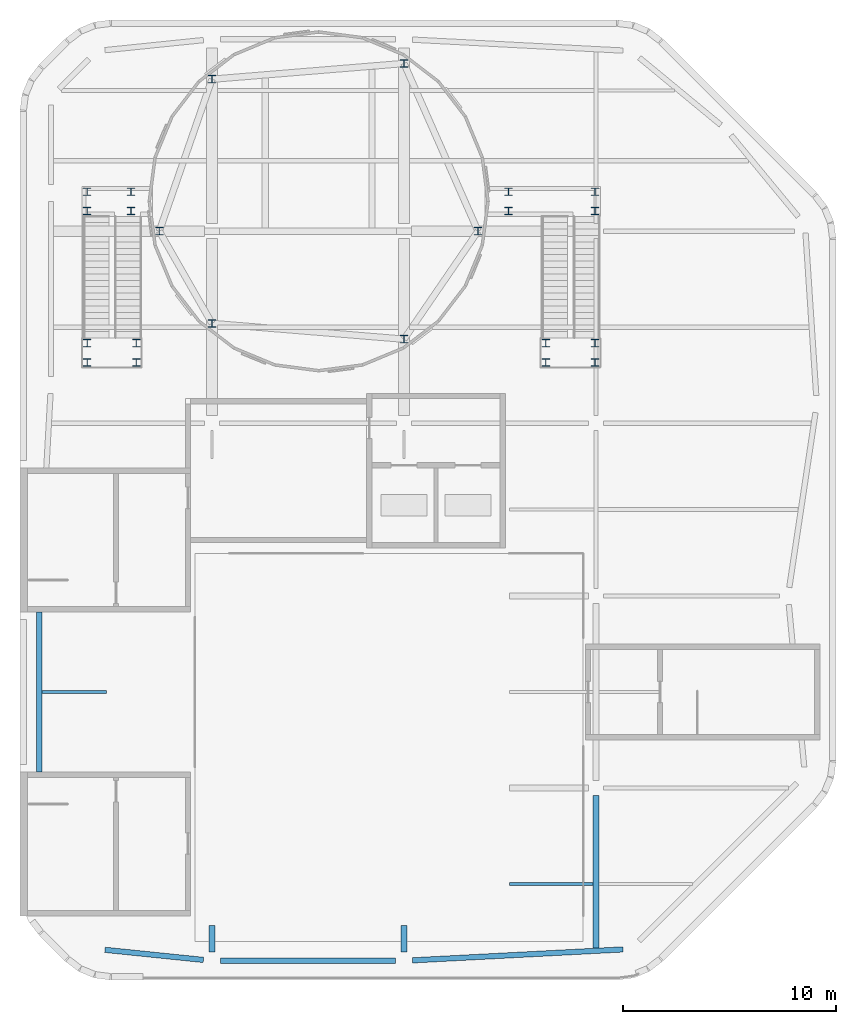
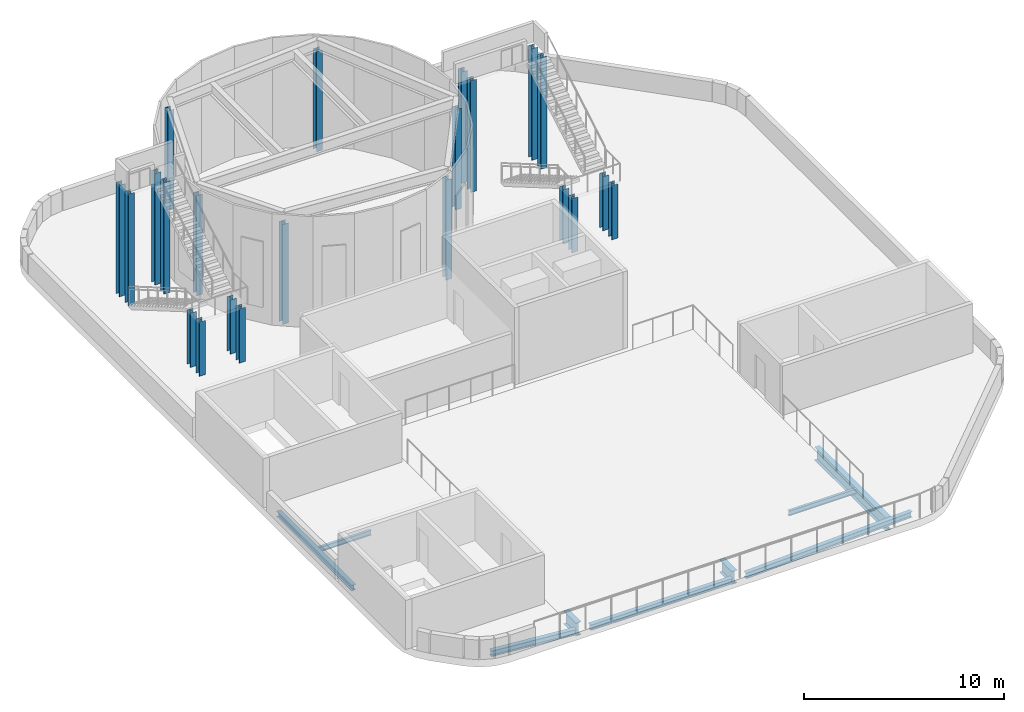
# One storey, part 1 of 6: 22 columns, 9 beams.
"""IFC4 building model written with IfcOpenShell, lengths in metres."""

from ifc_helpers import new_model, si_unit, direction, frame, origin, origin_2d, place, context, subcontext, project, spatial, i_section, extrude, material, material_profile, profile_set, type_object, element, save


model = new_model("IFC4")

# Units and contexts
model_context = context("Model", 3, precision=1e-05, world=origin(), true_north=direction((0.0, 1.0)))
body_context = subcontext(model_context, "Body", "Model", "MODEL_VIEW")
ifc_project = project(units=[si_unit("LENGTHUNIT", "METRE"), si_unit("AREAUNIT", "SQUARE_METRE"), si_unit("VOLUMEUNIT", "CUBIC_METRE"), si_unit("PLANEANGLEUNIT", "RADIAN"), si_unit("MASSUNIT", "GRAM", prefix="KILO")], contexts=[model_context])

# Site, building, storey
site_placement = place(None, origin())
site = spatial("IfcSite", under=ifc_project, at=site_placement, CompositionType="ELEMENT")
building_placement = place(site_placement, origin())
building = spatial("IfcBuilding", under=site, at=building_placement, Name="Cinnabar Reach Civic Tower", CompositionType="ELEMENT")
storey_placement = place(building_placement, frame((0.0, 0.0, 298.0)))
storey = spatial("IfcBuildingStorey", under=building, at=storey_placement, Name="Roof", CompositionType="ELEMENT", Elevation=298.0)

# Columns
ifc_material = material(Name="Steel Q355B", Category="steel")
ifc_material_profile_1 = material_profile(ifc_material, i_section(OverallWidth=0.35, OverallDepth=0.35, WebThickness=0.012, FlangeThickness=0.019, FilletRadius=0.013, at=origin_2d()), Name="HW350x350x12x19")
ifc_profile_set_1 = profile_set([ifc_material_profile_1], Name="Steel Q355B")
column_type = type_object("IfcColumnType", Name="HW350x350x12x19 column", PredefinedType="COLUMN", material=ifc_profile_set_1)
for number, where, z_axis, x_axis, name in (
    (1, (6.5301, 53.1, 0.0), (0.0, 0.0, 1.0), (1.0, 0.0, 0.0), "Plant drum column"),
    (2, (9.0, 48.7764, 0.0), (0.0, 0.0, 1.0), (1.0, 0.0, 0.0), "Plant drum column"),
    (3, (18.0, 48.0378, 0.0), (0.0, 0.0, 1.0), (1.0, 0.0, 0.0), "Plant drum column"),
    (4, (21.4699, 53.1, 0.0), (0.0, 0.0, 1.0), (1.0, 0.0, 0.0), "Plant drum column"),
    (5, (18.0, 60.9622, 0.0), (0.0, 0.0, 1.0), (1.0, 0.0, 0.0), "Plant drum column"),
    (6, (9.0, 60.2236, 0.0), (0.0, 0.0, 1.0), (1.0, 0.0, 0.0), "Plant drum column"),
):
    element("IfcColumn", number, at=place(storey_placement, frame(where, z_axis=z_axis, x_axis=x_axis)), inside=storey, type_object=column_type, Name=name, PredefinedType="COLUMN", context=body_context, shape_type="SweptSolid", body=[
        extrude(i_section(OverallWidth=0.35, OverallDepth=0.35, WebThickness=0.012, FlangeThickness=0.019, FilletRadius=0.013, at=origin_2d()), origin(), (0.0, 0.0, 1.0), 6.1),
    ])
for number, where, z_axis, x_axis, name in (
    (7, (3.15, 46.95, 0.0), (0.0, 0.0, 1.0), (1.0, 0.0, 0.0), "Roof stair post"),
    (8, (5.45, 46.95, 0.0), (0.0, 0.0, 1.0), (1.0, 0.0, 0.0), "Roof stair post"),
    (9, (3.15, 47.85, 0.0), (0.0, 0.0, 1.0), (1.0, 0.0, 0.0), "Roof stair post"),
    (10, (5.45, 47.85, 0.0), (0.0, 0.0, 1.0), (1.0, 0.0, 0.0), "Roof stair post"),
):
    element("IfcColumn", number, at=place(storey_placement, frame(where, z_axis=z_axis, x_axis=x_axis)), inside=storey, type_object=column_type, Name=name, PredefinedType="COLUMN", context=body_context, shape_type="SweptSolid", body=[
        extrude(i_section(OverallWidth=0.35, OverallDepth=0.35, WebThickness=0.012, FlangeThickness=0.019, FilletRadius=0.013, at=origin_2d()), origin(), (0.0, 0.0, 1.0), 3.3),
    ])
for number, where, z_axis, x_axis, name in (
    (11, (3.15, 54.05, 0.0), (0.0, 0.0, 1.0), (1.0, 0.0, 0.0), "Roof stair post"),
    (12, (5.2, 54.05, 0.0), (0.0, 0.0, 1.0), (1.0, 0.0, 0.0), "Roof stair post"),
    (13, (3.15, 54.95, 0.0), (0.0, 0.0, 1.0), (1.0, 0.0, 0.0), "Roof stair post"),
    (14, (5.2, 54.95, 0.0), (0.0, 0.0, 1.0), (1.0, 0.0, 0.0), "Roof stair post"),
):
    element("IfcColumn", number, at=place(storey_placement, frame(where, z_axis=z_axis, x_axis=x_axis)), inside=storey, type_object=column_type, Name=name, PredefinedType="COLUMN", context=body_context, shape_type="SweptSolid", body=[
        extrude(i_section(OverallWidth=0.35, OverallDepth=0.35, WebThickness=0.012, FlangeThickness=0.019, FilletRadius=0.013, at=origin_2d()), origin(), (0.0, 0.0, 1.0), 6.8),
    ])
for number, where, z_axis, x_axis, name in (
    (15, (24.65, 46.95, 0.0), (0.0, 0.0, 1.0), (1.0, 0.0, 0.0), "Roof stair post"),
    (16, (26.95, 46.95, 0.0), (0.0, 0.0, 1.0), (1.0, 0.0, 0.0), "Roof stair post"),
    (17, (24.65, 47.85, 0.0), (0.0, 0.0, 1.0), (1.0, 0.0, 0.0), "Roof stair post"),
    (18, (26.95, 47.85, 0.0), (0.0, 0.0, 1.0), (1.0, 0.0, 0.0), "Roof stair post"),
):
    element("IfcColumn", number, at=place(storey_placement, frame(where, z_axis=z_axis, x_axis=x_axis)), inside=storey, type_object=column_type, Name=name, PredefinedType="COLUMN", context=body_context, shape_type="SweptSolid", body=[
        extrude(i_section(OverallWidth=0.35, OverallDepth=0.35, WebThickness=0.012, FlangeThickness=0.019, FilletRadius=0.013, at=origin_2d()), origin(), (0.0, 0.0, 1.0), 3.3),
    ])
for number, where, z_axis, x_axis, name in (
    (19, (22.9, 54.05, 0.0), (0.0, 0.0, 1.0), (1.0, 0.0, 0.0), "Roof stair post"),
    (20, (26.95, 54.05, 0.0), (0.0, 0.0, 1.0), (1.0, 0.0, 0.0), "Roof stair post"),
    (21, (22.9, 54.95, 0.0), (0.0, 0.0, 1.0), (1.0, 0.0, 0.0), "Roof stair post"),
    (22, (26.95, 54.95, 0.0), (0.0, 0.0, 1.0), (1.0, 0.0, 0.0), "Roof stair post"),
):
    element("IfcColumn", number, at=place(storey_placement, frame(where, z_axis=z_axis, x_axis=x_axis)), inside=storey, type_object=column_type, Name=name, PredefinedType="COLUMN", context=body_context, shape_type="SweptSolid", body=[
        extrude(i_section(OverallWidth=0.35, OverallDepth=0.35, WebThickness=0.012, FlangeThickness=0.019, FilletRadius=0.013, at=origin_2d()), origin(), (0.0, 0.0, 1.0), 6.8),
    ])

# Beams
ifc_material_profile_2 = material_profile(ifc_material, i_section(OverallWidth=0.25, OverallDepth=0.34, WebThickness=0.009, FlangeThickness=0.014, FilletRadius=0.013, at=origin_2d()), Name="HM340x250x9x14")
ifc_profile_set_2 = profile_set([ifc_material_profile_2], Name="Steel Q355B")
beam_type_1 = type_object("IfcBeamType", Name="HM340x250x9x14 beam R 180", PredefinedType="BEAM", material=ifc_profile_set_2)
beam_1_placement = place(storey_placement, frame((3.9839, 19.414, -0.62), z_axis=(0.994791084875, -0.101934770579, 0.0), x_axis=(0.101934770579, 0.994791084875, 0.0)))
element("IfcBeam", 23, at=beam_1_placement, inside=storey, type_object=beam_type_1, Name="Edge beam T1 Roof 1", PredefinedType="BEAM", context=body_context, shape_type="SweptSolid", body=[
    extrude(i_section(OverallWidth=0.25, OverallDepth=0.34, WebThickness=0.009, FlangeThickness=0.014, FilletRadius=0.013, at=origin_2d()), origin(), (0.0, 0.0, 1.0), 4.6383),
])
beam_2_placement = place(storey_placement, frame((9.402, 18.9, -0.62), z_axis=(1.0, 0.0, 0.0), x_axis=(0.0, 1.0, 0.0)))
element("IfcBeam", 24, at=beam_2_placement, inside=storey, type_object=beam_type_1, Name="Edge beam T1 Roof 2", PredefinedType="BEAM", context=body_context, shape_type="SweptSolid", body=[
    extrude(i_section(OverallWidth=0.25, OverallDepth=0.34, WebThickness=0.009, FlangeThickness=0.014, FilletRadius=0.013, at=origin_2d()), origin(), (0.0, 0.0, 1.0), 8.196),
])
beam_3_placement = place(storey_placement, frame((18.402, 18.9209, -0.62), z_axis=(0.998653533726, 0.051876001934, 0.0), x_axis=(-0.051876001934, 0.998653533726, 0.0)))
element("IfcBeam", 25, at=beam_3_placement, inside=storey, type_object=beam_type_1, Name="Edge beam T1 Roof 3", PredefinedType="BEAM", context=body_context, shape_type="SweptSolid", body=[
    extrude(i_section(OverallWidth=0.25, OverallDepth=0.34, WebThickness=0.009, FlangeThickness=0.014, FilletRadius=0.013, at=origin_2d()), origin(), (0.0, 0.0, 1.0), 9.8774),
])
beam_4_placement = place(storey_placement, frame((0.9, 35.248, -0.62), z_axis=(0.0, -1.0, 0.0), x_axis=(1.0, 0.0, 0.0)))
element("IfcBeam", 26, at=beam_4_placement, inside=storey, type_object=beam_type_1, Name="Edge beam T1 Roof 18", PredefinedType="BEAM", context=body_context, shape_type="SweptSolid", body=[
    extrude(i_section(OverallWidth=0.25, OverallDepth=0.34, WebThickness=0.009, FlangeThickness=0.014, FilletRadius=0.013, at=origin_2d()), origin(), (0.0, 0.0, 1.0), 7.496),
])
ifc_material_profile_3 = material_profile(ifc_material, i_section(OverallWidth=0.15, OverallDepth=0.3, WebThickness=0.0065, FlangeThickness=0.009, FilletRadius=0.013, at=origin_2d()), Name="HN300x150x6.5x9")
ifc_profile_set_3 = profile_set([ifc_material_profile_3], Name="Steel Q355B")
beam_type_2 = type_object("IfcBeamType", Name="HN300x150x6.5x9 beam R 180", PredefinedType="BEAM", material=ifc_profile_set_3)
beam_5_placement = place(storey_placement, frame((22.952, 22.5, -0.6), z_axis=(1.0, 0.0, 0.0), x_axis=(0.0, 1.0, 0.0)))
element("IfcBeam", 27, at=beam_5_placement, inside=storey, type_object=beam_type_2, Name="Secondary beam T1 Roof 1", PredefinedType="BEAM", context=body_context, shape_type="SweptSolid", body=[
    extrude(i_section(OverallWidth=0.15, OverallDepth=0.3, WebThickness=0.0065, FlangeThickness=0.009, FilletRadius=0.013, at=origin_2d()), origin(), (0.0, 0.0, 1.0), 3.896),
])
beam_6_placement = place(storey_placement, frame((1.027, 31.5, -0.6), z_axis=(1.0, 0.0, 0.0), x_axis=(0.0, 1.0, 0.0)))
element("IfcBeam", 28, at=beam_6_placement, inside=storey, type_object=beam_type_2, Name="Secondary beam T1 Roof 3", PredefinedType="BEAM", context=body_context, shape_type="SweptSolid", body=[
    extrude(i_section(OverallWidth=0.15, OverallDepth=0.3, WebThickness=0.0065, FlangeThickness=0.009, FilletRadius=0.013, at=origin_2d()), origin(), (0.0, 0.0, 1.0), 3.021),
])
ifc_material_profile_4 = material_profile(ifc_material, i_section(OverallWidth=0.3, OverallDepth=0.8, WebThickness=0.014, FlangeThickness=0.026, FilletRadius=0.02, at=origin_2d()), Name="HN800x300x14x26")
ifc_profile_set_4 = profile_set([ifc_material_profile_4], Name="Steel Q355B")
beam_type_3 = type_object("IfcBeamType", Name="HN800x300x14x26 beam R 180", PredefinedType="BEAM", material=ifc_profile_set_4)
for number, where, z_axis, x_axis, name in (
    (29, (9.0, 19.302, -0.85), (0.0, 1.0, 0.0), (-1.0, 0.0, 0.0), "Girder T1 Roof 1"),
    (30, (18.0, 19.302, -0.85), (0.0, 1.0, 0.0), (-1.0, 0.0, 0.0), "Girder T1 Roof 5"),
):
    element("IfcBeam", number, at=place(storey_placement, frame(where, z_axis=z_axis, x_axis=x_axis)), inside=storey, type_object=beam_type_3, Name=name, PredefinedType="BEAM", context=body_context, shape_type="SweptSolid", body=[
        extrude(i_section(OverallWidth=0.3, OverallDepth=0.8, WebThickness=0.014, FlangeThickness=0.026, FilletRadius=0.02, at=origin_2d()), origin(), (0.0, 0.0, 1.0), 1.246),
    ])
beam_7_placement = place(storey_placement, frame((27.0, 19.4947, -0.85), z_axis=(0.0, 1.0, 0.0), x_axis=(-1.0, 0.0, 0.0)))
element("IfcBeam", 31, at=beam_7_placement, inside=storey, type_object=beam_type_3, Name="Girder T1 Roof 9", PredefinedType="BEAM", context=body_context, shape_type="SweptSolid", body=[
    extrude(i_section(OverallWidth=0.3, OverallDepth=0.8, WebThickness=0.014, FlangeThickness=0.026, FilletRadius=0.02, at=origin_2d()), origin(), (0.0, 0.0, 1.0), 7.1533),
])

save(model, "model.ifc")
